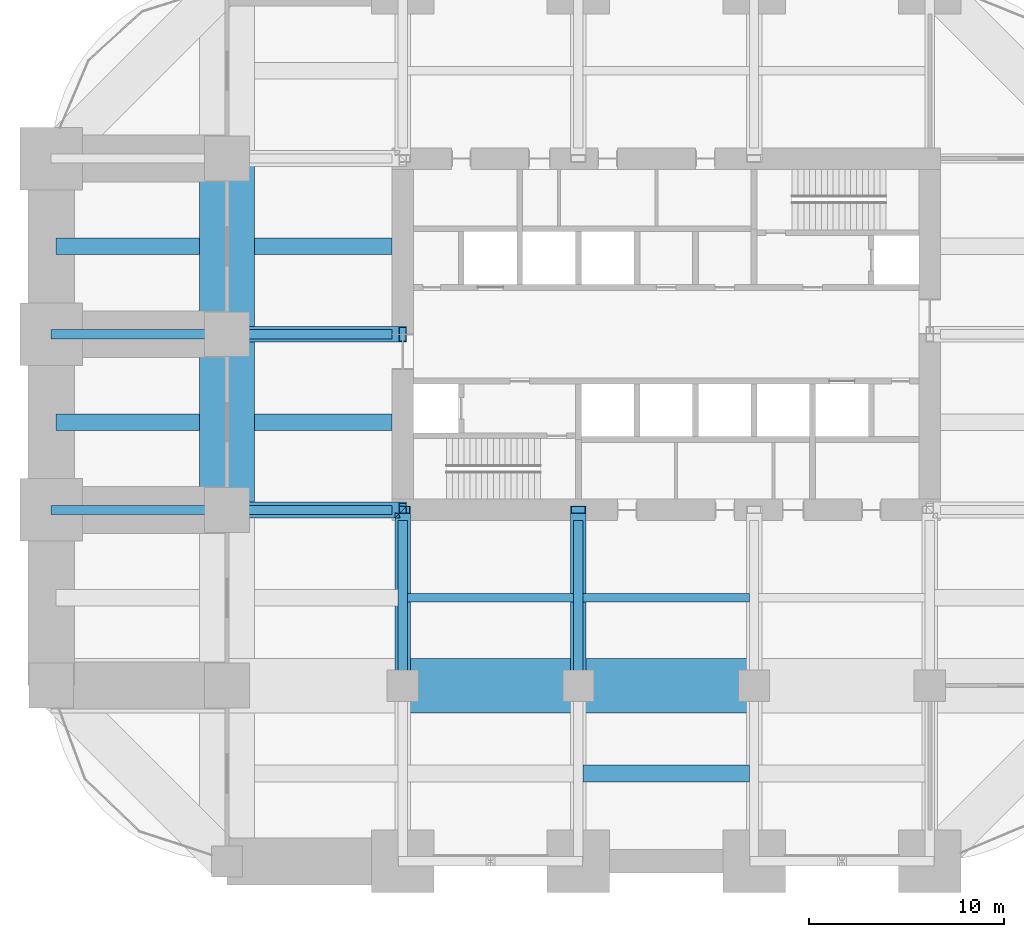
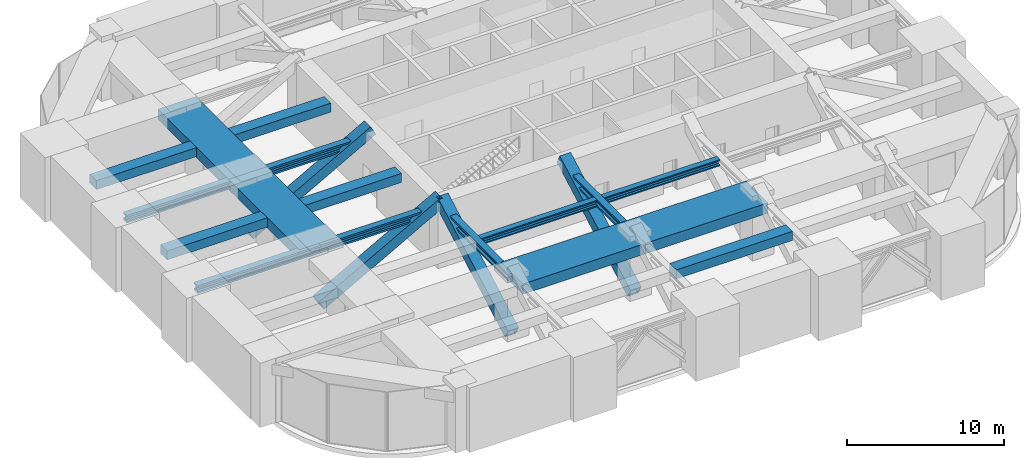
# One storey, part 7 of 32: 17 beams, 4 members.
"""IFC4 building model written with IfcOpenShell, lengths in metres."""

from ifc_helpers import new_model, si_unit, direction, frame, origin, origin_2d, place, context, subcontext, project, spatial, rectangle, hollow_rectangle, i_section, extrude, material, material_profile, profile_set, type_object, element, save


model = new_model("IFC4")

# Units and contexts
model_context = context("Model", 3, precision=1e-05, world=origin(), true_north=direction((0.0, 1.0)))
body_context = subcontext(model_context, "Body", "Model", "MODEL_VIEW")
ifc_project = project(units=[si_unit("LENGTHUNIT", "METRE"), si_unit("AREAUNIT", "SQUARE_METRE"), si_unit("VOLUMEUNIT", "CUBIC_METRE"), si_unit("PLANEANGLEUNIT", "RADIAN"), si_unit("MASSUNIT", "GRAM", prefix="KILO")], contexts=[model_context])

# Site, building, storey
site_placement = place(None, origin())
site = spatial("IfcSite", under=ifc_project, at=site_placement, CompositionType="ELEMENT")
building_placement = place(site_placement, origin())
building = spatial("IfcBuilding", under=site, at=building_placement, Name="Zorevar Civic Tower", CompositionType="ELEMENT")
storey_placement = place(building_placement, frame((0.0, 0.0, 234.39990234375)))
storey = spatial("IfcBuildingStorey", under=building, at=storey_placement, Name="L57", CompositionType="ELEMENT", Elevation=234.39990234375)

# Beams
ifc_material_1 = material(Name="Concrete C50/60", Category="concrete")
ifc_material_profile_1 = material_profile(ifc_material_1, rectangle(XDim=2.800048828125, YDim=0.800048828125, at=origin_2d()), Name="RC 2800x800")
ifc_profile_set_1 = profile_set([ifc_material_profile_1], Name="Concrete C50/60")
beam_type_1 = type_object("IfcBeamType", Name="Beam RC 2800x800", PredefinedType="BEAM", material=ifc_profile_set_1)
for number, where, z_axis, x_axis, name in (
    (1, (18.0, 9.0, 4.2001953125), (1.0, 0.0, 0.0), (0.0, 1.0, 0.0), "Girder L58"),
    (2, (27.0, 9.0, 4.2001953125), (1.0, 0.0, 0.0), (0.0, 1.0, 0.0), "Girder L58"),
    (3, (9.0, 18.0, 4.2001953125), (0.0, 1.0, 0.0), (-1.0, 0.0, 0.0), "Girder L58"),
    (4, (9.0, 27.0, 4.2001953125), (0.0, 1.0, 0.0), (-1.0, 0.0, 0.0), "Girder L58"),
):
    element("IfcBeam", number, at=place(storey_placement, frame(where, z_axis=z_axis, x_axis=x_axis)), inside=storey, type_object=beam_type_1, Name=name, PredefinedType="BEAM", context=body_context, shape_type="SweptSolid", body=[
        extrude(rectangle(XDim=2.800048828125, YDim=0.800048828125, at=origin_2d()), origin(), (0.0, 0.0, 1.0), 9.0),
    ])
ifc_material_2 = material(Name="Concrete C50/60", Category="concrete")
ifc_material_profile_2 = material_profile(ifc_material_2, rectangle(XDim=0.85009765625, YDim=0.699951171875, at=origin_2d()), Name="RC 850x700")
ifc_profile_set_2 = profile_set([ifc_material_profile_2], Name="Concrete C50/60")
beam_type_2 = type_object("IfcBeamType", Name="Beam RC 850x700", PredefinedType="BEAM", material=ifc_profile_set_2)
beam_1_placement = place(storey_placement, frame((27.238037109375, 4.5, 4.25), z_axis=(1.0, 0.0, 0.0), x_axis=(0.0, 1.0, 0.0)))
element("IfcBeam", 5, at=beam_1_placement, inside=storey, type_object=beam_type_2, Name="Secondary beam L58", PredefinedType="BEAM", context=body_context, shape_type="SweptSolid", body=[
    extrude(rectangle(XDim=0.85009765625, YDim=0.699951171875, at=origin_2d()), origin(), (0.0, 0.0, 1.0), 8.52392578125),
])
beam_2_placement = place(storey_placement, frame((0.238037109375, 22.5, 4.25), z_axis=(1.0, 0.0, 0.0), x_axis=(0.0, 1.0, 0.0)))
element("IfcBeam", 6, at=beam_2_placement, inside=storey, type_object=beam_type_2, Name="Secondary beam L58", PredefinedType="BEAM", context=body_context, shape_type="SweptSolid", body=[
    extrude(rectangle(XDim=0.85009765625, YDim=0.699951171875, at=origin_2d()), origin(), (0.0, 0.0, 1.0), 7.362060546875),
])
beam_3_placement = place(storey_placement, frame((10.39990234375, 22.5, 4.25), z_axis=(1.0, 0.0, 0.0), x_axis=(0.0, 1.0, 0.0)))
element("IfcBeam", 7, at=beam_3_placement, inside=storey, type_object=beam_type_2, Name="Secondary beam L58", PredefinedType="BEAM", context=body_context, shape_type="SweptSolid", body=[
    extrude(rectangle(XDim=0.85009765625, YDim=0.699951171875, at=origin_2d()), origin(), (0.0, 0.0, 1.0), 7.050048828125),
])
beam_4_placement = place(storey_placement, frame((0.238037109375, 31.5, 4.25), z_axis=(1.0, 0.0, 0.0), x_axis=(0.0, 1.0, 0.0)))
element("IfcBeam", 8, at=beam_4_placement, inside=storey, type_object=beam_type_2, Name="Secondary beam L58", PredefinedType="BEAM", context=body_context, shape_type="SweptSolid", body=[
    extrude(rectangle(XDim=0.85009765625, YDim=0.699951171875, at=origin_2d()), origin(), (0.0, 0.0, 1.0), 7.362060546875),
])
beam_5_placement = place(storey_placement, frame((10.39990234375, 31.5, 4.25), z_axis=(1.0, 0.0, 0.0), x_axis=(0.0, 1.0, 0.0)))
element("IfcBeam", 9, at=beam_5_placement, inside=storey, type_object=beam_type_2, Name="Secondary beam L58", PredefinedType="BEAM", context=body_context, shape_type="SweptSolid", body=[
    extrude(rectangle(XDim=0.85009765625, YDim=0.699951171875, at=origin_2d()), origin(), (0.0, 0.0, 1.0), 7.050048828125),
])
ifc_material_3 = material(Name="Steel S460M (HISTAR 460)", Category="steel")
ifc_material_profile_3 = material_profile(ifc_material_3, i_section(OverallWidth=0.431884765625, OverallDepth=0.498046875, WebThickness=0.0556640625, FlangeThickness=0.0888671875, FilletRadius=0.014892578125, at=origin_2d()), Name="HD 400x744")
ifc_profile_set_3 = profile_set([ifc_material_profile_3], Name="Steel S460M (HISTAR 460)")
beam_type_3 = type_object("IfcBeamType", Name="Core bay beam HD 400x744", PredefinedType="BEAM", material=ifc_profile_set_3)
for number, where, z_axis, x_axis, name in (
    (10, (18.238037109375, 13.5, 4.35107421875), (1.0, 0.0, 0.0), (0.0, 1.0, 0.0), "Secondary beam L58"),
    (11, (27.238037109375, 13.5, 4.35107421875), (1.0, 0.0, 0.0), (0.0, 1.0, 0.0), "Secondary beam L58"),
):
    element("IfcBeam", number, at=place(storey_placement, frame(where, z_axis=z_axis, x_axis=x_axis)), inside=storey, type_object=beam_type_3, Name=name, PredefinedType="BEAM", context=body_context, shape_type="SweptSolid", body=[
        extrude(i_section(OverallWidth=0.431884765625, OverallDepth=0.498046875, WebThickness=0.0556640625, FlangeThickness=0.0888671875, FilletRadius=0.014892578125, at=origin_2d()), origin(), (0.0, 0.0, 1.0), 8.52392578125),
    ])
ifc_material_4 = material(Name="Steel S460M (HISTAR 460)", Category="steel")
ifc_material_profile_4 = material_profile(ifc_material_4, i_section(OverallWidth=0.47607421875, OverallDepth=0.60009765625, WebThickness=0.10009765625, FlangeThickness=0.139892578125, FilletRadius=0.014892578125, at=origin_2d()), Name="HD 400x1299")
ifc_profile_set_4 = profile_set([ifc_material_profile_4], Name="Steel S460M (HISTAR 460)")
beam_type_4 = type_object("IfcBeamType", Name="Outrigger chord HD 400x1299", PredefinedType="BEAM", material=ifc_profile_set_4)
beam_6_placement = place(storey_placement, frame((0.0, 18.0, 4.300048828125), z_axis=(1.0, 0.0, 0.0), x_axis=(0.0, 1.0, 0.0)))
element("IfcBeam", 12, at=beam_6_placement, inside=storey, type_object=beam_type_4, Name="Outrigger chord L58", PredefinedType="BEAM", context=body_context, shape_type="SweptSolid", body=[
    extrude(i_section(OverallWidth=0.47607421875, OverallDepth=0.60009765625, WebThickness=0.10009765625, FlangeThickness=0.139892578125, FilletRadius=0.014892578125, at=origin_2d()), origin(), (0.0, 0.0, 1.0), 9.0),
])
beam_7_placement = place(storey_placement, frame((9.0, 18.0, 4.300048828125), z_axis=(1.0, 0.0, 0.0), x_axis=(0.0, 1.0, 0.0)))
element("IfcBeam", 13, at=beam_7_placement, inside=storey, type_object=beam_type_4, Name="Outrigger chord L58", PredefinedType="BEAM", context=body_context, shape_type="SweptSolid", body=[
    extrude(i_section(OverallWidth=0.47607421875, OverallDepth=0.60009765625, WebThickness=0.10009765625, FlangeThickness=0.139892578125, FilletRadius=0.014892578125, at=origin_2d()), origin(), (0.0, 0.0, 1.0), 8.449951171875),
])
beam_8_placement = place(storey_placement, frame((0.0, 27.0, 4.300048828125), z_axis=(1.0, 0.0, 0.0), x_axis=(0.0, 1.0, 0.0)))
element("IfcBeam", 14, at=beam_8_placement, inside=storey, type_object=beam_type_4, Name="Outrigger chord L58", PredefinedType="BEAM", context=body_context, shape_type="SweptSolid", body=[
    extrude(i_section(OverallWidth=0.47607421875, OverallDepth=0.60009765625, WebThickness=0.10009765625, FlangeThickness=0.139892578125, FilletRadius=0.014892578125, at=origin_2d()), origin(), (0.0, 0.0, 1.0), 9.0),
])
for number, where, z_axis, x_axis, name in (
    (15, (9.0, 27.0, 4.300048828125), (1.0, 0.0, 0.0), (0.0, 1.0, 0.0), "Outrigger chord L58"),
    (16, (18.0, 9.0, 4.300048828125), (0.0, 1.0, 0.0), (-1.0, 0.0, 0.0), "Outrigger chord L58"),
    (17, (27.0, 9.0, 4.300048828125), (0.0, 1.0, 0.0), (-1.0, 0.0, 0.0), "Outrigger chord L58"),
):
    element("IfcBeam", number, at=place(storey_placement, frame(where, z_axis=z_axis, x_axis=x_axis)), inside=storey, type_object=beam_type_4, Name=name, PredefinedType="BEAM", context=body_context, shape_type="SweptSolid", body=[
        extrude(i_section(OverallWidth=0.47607421875, OverallDepth=0.60009765625, WebThickness=0.10009765625, FlangeThickness=0.139892578125, FilletRadius=0.014892578125, at=origin_2d()), origin(), (0.0, 0.0, 1.0), 8.449951171875),
    ])

# Members
ifc_material_5 = material(Name="Steel S460M (HISTAR 460)", Category="steel")
ifc_material_profile_5 = material_profile(ifc_material_5, hollow_rectangle(XDim=0.800048828125, YDim=0.800048828125, WallThickness=0.06005859375, at=origin_2d()), Name="BOX 800x800x60")
ifc_profile_set_5 = profile_set([ifc_material_profile_5], Name="Steel S460M (HISTAR 460)")
member_type = type_object("IfcMemberType", Name="Outrigger diagonal BOX 800x800x60", PredefinedType="BRACE", material=ifc_profile_set_5)
for number, where, z_axis, x_axis, name in (
    (18, (18.0, 18.0, 5.0), (0.0, -0.874157276122, -0.485642931179), (1.0, 0.0, 0.0), "Outrigger diagonal S L57"),
    (19, (27.0, 18.0, 5.0), (0.0, -0.874157276122, -0.485642931179), (1.0, 0.0, 0.0), "Outrigger diagonal S L57"),
    (20, (18.0, 18.0, 5.0), (-0.874157276122, 0.0, -0.485642931179), (0.0, -1.0, 0.0), "Outrigger diagonal W L57"),
    (21, (18.0, 27.0, 5.0), (-0.874157276122, 0.0, -0.485642931179), (0.0, -1.0, 0.0), "Outrigger diagonal W L57"),
):
    element("IfcMember", number, at=place(storey_placement, frame(where, z_axis=z_axis, x_axis=x_axis)), inside=storey, type_object=member_type, Name=name, PredefinedType="BRACE", context=body_context, shape_type="SweptSolid", body=[
        extrude(hollow_rectangle(XDim=0.800048828125, YDim=0.800048828125, WallThickness=0.06005859375, at=origin_2d()), origin(), (0.0, 0.0, 1.0), 10.295654296875),
    ])

save(model, "model.ifc")
